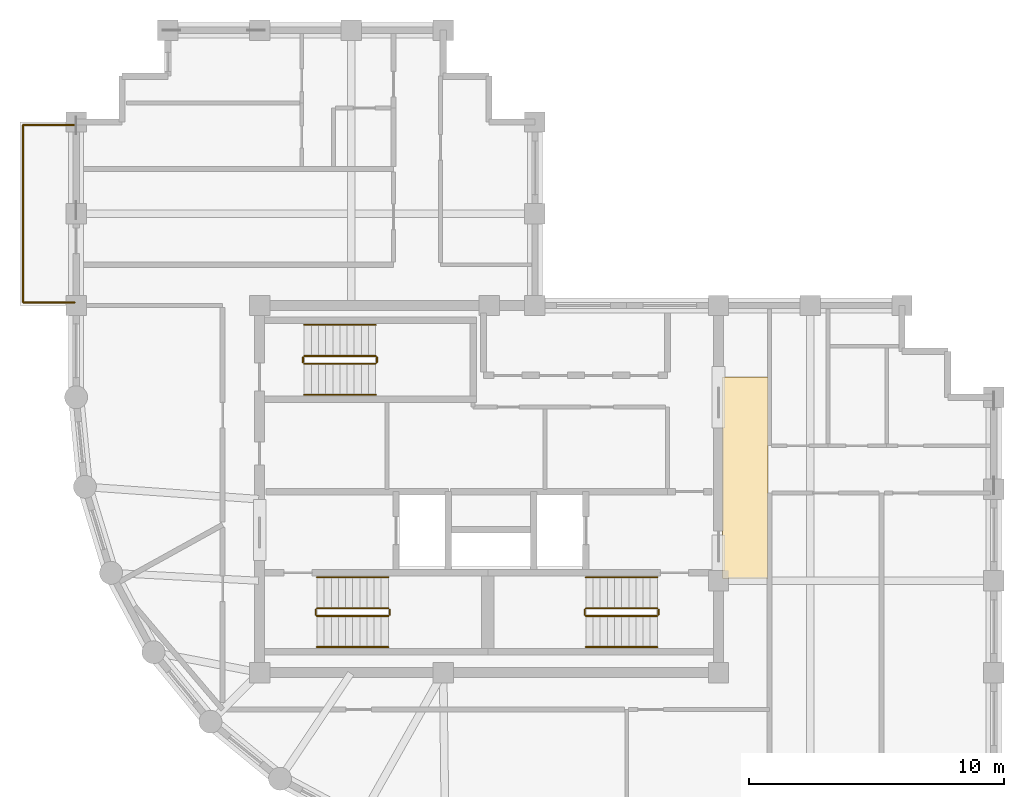
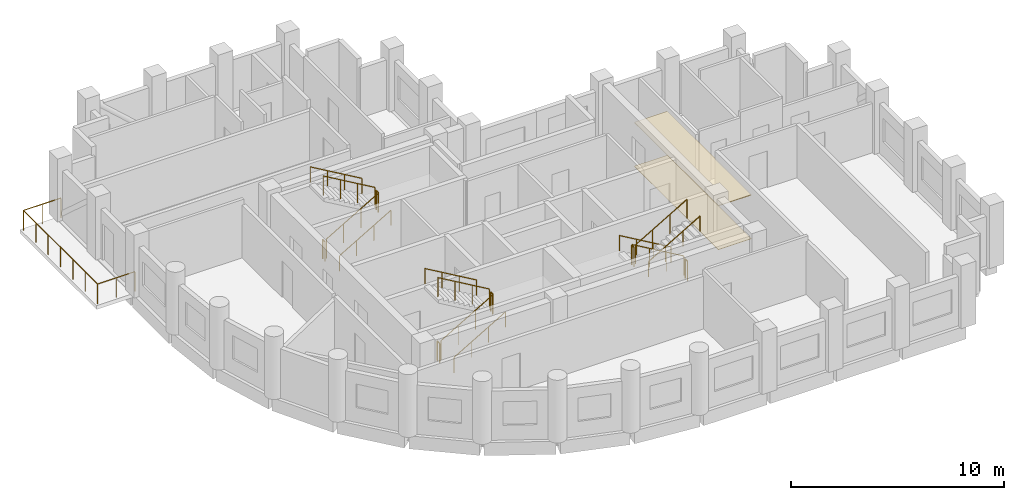
# One storey, part 6 of 6: 21 railings, 2 coverings.
"""IFC4 building model written with IfcOpenShell, lengths in metres."""

import ifcopenshell
import ifcopenshell.guid

model = None  # the IFC model being written
_history = None  # IfcOwnerHistory: only IFC2X3 demands one
_inside = {}  # id of a spatial element -> (the spatial element, [elements in it])
_under = {}  # id of a project, library or spatial element -> (it, [spatial elements below it])
_declared = {}  # id of a project -> (the project, [libraries it declares])
_typed = {}  # id of a type object -> (the type object, [elements of that type])
_made_of = {}  # id of a material, layer set ... -> (it, [elements and type objects made of it])


def new_model(schema):
    """Start an empty IFC model of exactly this schema.

    Asked for "IFC4X3", IfcOpenShell would pick the latest addendum, in which some entities
    have other attributes; the version numbers below select the first issue.
    IFC2X3 requires an IfcOwnerHistory on every rooted entity: one is made here for all.
    """
    global model, _history
    if schema == "IFC4X3":
        model = ifcopenshell.file(schema_version=(4, 3, 0, 0))
    else:
        model = ifcopenshell.file(schema=schema)
    _inside.clear()
    _under.clear()
    _declared.clear()
    _typed.clear()
    _made_of.clear()
    _history = None
    if model.schema == "IFC2X3":
        org = make("IfcOrganization", Name="unknown")
        user = make(
            "IfcPersonAndOrganization",
            ThePerson=make("IfcPerson", FamilyName="unknown"),
            TheOrganization=org,
        )
        app = make(
            "IfcApplication",
            ApplicationDeveloper=org,
            Version="unknown",
            ApplicationFullName="unknown",
            ApplicationIdentifier="unknown",
        )
        _history = make(
            "IfcOwnerHistory",
            OwningUser=user,
            OwningApplication=app,
            ChangeAction="ADDED",
            CreationDate=0,
        )
    return model


def make(cls, **values):
    """One entity of the class cls with the attributes given. An attribute that is None is left unset."""
    return model.create_entity(
        cls, **{name: value for name, value in values.items() if value is not None}
    )


def rooted(cls, **values):
    """An entity with a GlobalId (a new one), such as an element, a storey or a relation."""
    return make(cls, GlobalId=ifcopenshell.guid.new(), OwnerHistory=_history, **values)


def si_unit(unit_type, name, prefix=None):
    """IfcSIUnit, for example si_unit("LENGTHUNIT", "METRE", prefix="MILLI")."""
    return make("IfcSIUnit", UnitType=unit_type, Prefix=prefix, Name=name)


def assignment(units):
    """IfcUnitAssignment: the units of a project."""
    return None if units is None else make("IfcUnitAssignment", Units=units)


def point(xyz):
    """IfcCartesianPoint."""
    return None if xyz is None else make("IfcCartesianPoint", Coordinates=xyz)


def direction(xyz):
    """IfcDirection."""
    return None if xyz is None else make("IfcDirection", DirectionRatios=xyz)


def frame(location, z_axis=None, x_axis=None):
    """IfcAxis2Placement3D, a coordinate frame: its origin and axes. An axis left out is left unset."""
    return make(
        "IfcAxis2Placement3D",
        Location=point(location),
        Axis=direction(z_axis),
        RefDirection=direction(x_axis),
    )


def frame_2d(location, x_axis=None):
    """IfcAxis2Placement2D, a coordinate frame in the plane: its origin and x axis."""
    return make(
        "IfcAxis2Placement2D", Location=point(location), RefDirection=direction(x_axis)
    )


def origin():
    """The frame at (0, 0, 0) with its axes left unset."""
    return frame((0.0, 0.0, 0.0))


def origin_2d():
    """The frame at (0, 0) in the plane with its x axis left unset."""
    return frame_2d((0.0, 0.0))


def place(relative_to, where):
    """IfcLocalPlacement: puts the frame where relative to a parent placement (None: the world)."""
    return make(
        "IfcLocalPlacement", PlacementRelTo=relative_to, RelativePlacement=where
    )


def context(
    kind, dimensions, precision=None, world=None, true_north=None, identifier=None
):
    """IfcGeometricRepresentationContext, for example the 3D "Model" context."""
    return make(
        "IfcGeometricRepresentationContext",
        ContextIdentifier=identifier,
        ContextType=kind,
        CoordinateSpaceDimension=dimensions,
        Precision=precision,
        WorldCoordinateSystem=world,
        TrueNorth=true_north,
    )


def subcontext(parent, identifier, kind, view, scale=None):
    """IfcGeometricRepresentationSubContext, for example "Body" below "Model"."""
    return make(
        "IfcGeometricRepresentationSubContext",
        ContextIdentifier=identifier,
        ContextType=kind,
        ParentContext=parent,
        TargetScale=scale,
        TargetView=view,
    )


def project(units=None, contexts=None):
    """IfcProject with its units and contexts."""
    return rooted(
        "IfcProject",
        Name="project",
        RepresentationContexts=contexts,
        UnitsInContext=assignment(units),
    )


def spatial(cls, under=None, at=None, **own):
    """A site, building, storey or space (cls), placed at a placement, below another one or the project."""
    s = rooted(cls, ObjectPlacement=at, **own)
    if under is not None:
        _under.setdefault(under.id(), (under, []))[1].append(s)
    return s


def polyline(points):
    """IfcPolyline through the points."""
    return make("IfcPolyline", Points=[point(p) for p in points])


def profile(cls, at=None, kind="AREA", **sizes):
    """A parametric profile (cls). Its sizes go by their IFC names, for example OverallWidth=200.0."""
    return make(cls, ProfileType=kind, Position=at, **sizes)


def circle(**sizes):
    """IfcCircleProfileDef."""
    return profile("IfcCircleProfileDef", **sizes)


def outline(outer, holes=None, kind="AREA"):
    """IfcArbitraryClosedProfileDef: a profile drawn as a closed curve; with holes, ...WithVoids."""
    if holes is None:
        return make("IfcArbitraryClosedProfileDef", ProfileType=kind, OuterCurve=outer)
    return make(
        "IfcArbitraryProfileDefWithVoids",
        ProfileType=kind,
        OuterCurve=outer,
        InnerCurves=holes,
    )


def extrude(swept, where, along, depth):
    """IfcExtrudedAreaSolid: the profile swept, set in the frame where, extruded along a direction by depth."""
    return make(
        "IfcExtrudedAreaSolid",
        SweptArea=swept,
        Position=where,
        ExtrudedDirection=direction(along),
        Depth=depth,
    )


def shape(context_of_items, identifier, shape_type, items):
    """IfcShapeRepresentation: the items that make up one representation, for example the "Body"."""
    return make(
        "IfcShapeRepresentation",
        ContextOfItems=context_of_items,
        RepresentationIdentifier=identifier,
        RepresentationType=shape_type,
        Items=items,
    )


def material(Name=None, Category=None):
    """IfcMaterial."""
    return make("IfcMaterial", Name=Name, Category=Category)


def layer(
    of_material, thickness, ventilated=None, Name=None, Category=None, Priority=None
):
    """IfcMaterialLayer: one layer of a wall or slab, of a material (None: an air gap)."""
    return make(
        "IfcMaterialLayer",
        Material=of_material,
        LayerThickness=thickness,
        IsVentilated=ventilated,
        Name=Name,
        Category=Category,
        Priority=Priority,
    )


def layer_set(layers, Name=None):
    """IfcMaterialLayerSet."""
    return make("IfcMaterialLayerSet", MaterialLayers=layers, LayerSetName=Name)


def made_of(thing, what):
    """Note that an element or type object is made of a material, layer set ...; save() writes the relation."""
    if what is not None:
        _made_of.setdefault(what.id(), (what, []))[1].append(thing)
    return thing


def type_object(cls, material=None, **own):
    """A type object (cls), such as IfcWallType, which elements share."""
    return made_of(rooted(cls, **own), material)


def element(
    cls,
    number,
    at=None,
    inside=None,
    cuts=None,
    type_object=None,
    material=None,
    context=None,
    identifier="Body",
    shape_type=None,
    held_by="IfcProductDefinitionShape",
    body=None,
    shapes=None,
    **own,
):
    """One element of the class cls, such as IfcWall. Its Tag is "e" and its number.

    at: its placement. inside: the storey or other place that contains it. cuts: it is an
    opening in that element (IfcRelVoidsElement). A single representation is given by context,
    identifier, shape_type and body (its items); several are given by shapes. held_by: the class
    of the entity that holds the representations. save() writes the other relations.
    """
    e = rooted(cls, Tag="e%d" % number, ObjectPlacement=at, **own)
    if body is not None:
        shapes = [shape(context, identifier, shape_type, body)]
    if shapes is not None:
        e.Representation = make(held_by, Representations=shapes)
    if inside is not None:
        _inside.setdefault(inside.id(), (inside, []))[1].append(e)
    if cuts is not None:
        rooted(
            "IfcRelVoidsElement", RelatingBuildingElement=cuts, RelatedOpeningElement=e
        )
    if type_object is not None:
        _typed.setdefault(type_object.id(), (type_object, []))[1].append(e)
    return made_of(e, material)


def aggregate(whole, parts):
    """IfcRelAggregates: a whole, such as a stair, and the parts it consists of."""
    return rooted("IfcRelAggregates", RelatingObject=whole, RelatedObjects=parts)


def save(model, path):
    """Write the relations noted so far, then the file.

    IfcRelAggregates (storeys below a building ...), IfcRelContainedInSpatialStructure (elements
    in a storey), IfcRelDefinesByType, IfcRelAssociatesMaterial and IfcRelDeclares: one each for
    every whole, place, type object, material and project.
    """
    for whole, parts in _under.values():
        aggregate(whole, parts)
    for where, things in _inside.values():
        rooted(
            "IfcRelContainedInSpatialStructure",
            RelatedElements=things,
            RelatingStructure=where,
        )
    for kind, things in _typed.values():
        rooted("IfcRelDefinesByType", RelatedObjects=things, RelatingType=kind)
    for what, things in _made_of.values():
        rooted("IfcRelAssociatesMaterial", RelatedObjects=things, RelatingMaterial=what)
    for by, libraries in _declared.values():
        rooted("IfcRelDeclares", RelatingContext=by, RelatedDefinitions=libraries)
    model.write(path)


model = new_model("IFC4")

# Units and contexts
model_context = context("Model", 3, precision=1e-05, world=origin(), true_north=direction((0.0, 1.0)))
body_context = subcontext(model_context, "Body", "Model", "MODEL_VIEW")
ifc_project = project(units=[si_unit("LENGTHUNIT", "METRE"), si_unit("AREAUNIT", "SQUARE_METRE"), si_unit("VOLUMEUNIT", "CUBIC_METRE"), si_unit("PLANEANGLEUNIT", "RADIAN"), si_unit("MASSUNIT", "GRAM", prefix="KILO")], contexts=[model_context])

# Site, building, storey
site_placement = place(None, origin())
site = spatial("IfcSite", under=ifc_project, at=site_placement, CompositionType="ELEMENT")
building_placement = place(site_placement, origin())
building = spatial("IfcBuilding", under=site, at=building_placement, Name="Solnavia Interchange Tower", CompositionType="ELEMENT")
storey_placement = place(building_placement, frame((0.0, 0.0, 270.199951171875)))
storey = spatial("IfcBuildingStorey", under=building, at=storey_placement, Name="L68", CompositionType="ELEMENT", Elevation=270.199951171875)

# Coverings
ifc_material_1 = material(Name="Perforated Mineral-Fibre & Gypsum Ceiling", Category="gypsum")
ifc_layer_1 = layer(ifc_material_1, 0.0400390625)
ifc_layer_set_1 = layer_set([ifc_layer_1], Name="Perforated Mineral-Fibre & Gypsum Ceiling")
covering_type_1 = type_object("IfcCoveringType", Name="Covering-Ceiling-Acoustic40", PredefinedType="CEILING", material=ifc_layer_set_1)
covering_1_placement = place(storey_placement, frame((0.0, 0.0, 2.5)))
element("IfcCovering", 1, at=covering_1_placement, inside=storey, type_object=covering_type_1, Name="CLG-L68-01 Circulation suspended acoustic ceiling", PredefinedType="CEILING", context=body_context, shape_type="SweptSolid", body=[
    extrude(outline(polyline([(32.550048828125, 14.5), (34.35009765625, 14.5), (34.35009765625, 22.39990234375), (32.550048828125, 22.39990234375), (32.550048828125, 14.5)])), origin(), (0.0, 0.0, 1.0), 0.0400390625),
])
ifc_material_2 = material(Name="Engineered European Oak Flooring", Category="wood")
ifc_layer_2 = layer(ifc_material_2, 0.02001953125)
ifc_layer_set_2 = layer_set([ifc_layer_2], Name="Engineered European Oak Flooring")
covering_type_2 = type_object("IfcCoveringType", Name="Covering-Flooring-Timber20", PredefinedType="FLOORING", material=ifc_layer_set_2)
covering_2_placement = place(storey_placement, origin())
element("IfcCovering", 2, at=covering_2_placement, inside=storey, type_object=covering_type_2, Name="FLR-L68-01 Circulation floor finish", PredefinedType="FLOORING", context=body_context, shape_type="SweptSolid", body=[
    extrude(outline(polyline([(32.550048828125, 14.5), (34.35009765625, 14.5), (34.35009765625, 22.39990234375), (32.550048828125, 22.39990234375), (32.550048828125, 14.5)])), origin(), (0.0, 0.0, 1.0), 0.02001953125),
])

# Railings
ifc_material_3 = material(Name="Painted Steel Balustrade", Category="steel")
railing_type_1 = type_object("IfcRailingType", Name="Railing-StairGuard-1100", PredefinedType="GUARDRAIL", material=ifc_material_3)
railing_1_placement = place(storey_placement, frame((16.64990234375, 13.02001953125, 0.16357421875)))
element("IfcRailing", 3, at=railing_1_placement, inside=storey, type_object=railing_type_1, Name="L68 ST-1 stair guard 1", PredefinedType="GUARDRAIL", context=body_context, shape_type="SweptSolid", body=[
    extrude(circle(Radius=0.02392578125, at=origin_2d()), frame((0.0, 0.0, 1.09619140625), z_axis=(0.863360870873, 0.0, 0.504586966384), x_axis=(0.0, 1.0, 0.0)), (0.0, 0.0, 1.0), 3.2431640625),
    extrude(circle(Radius=0.02099609375, at=origin_2d()), origin(), (0.0, 0.0, 1.0), 1.072021484375),
    extrude(circle(Radius=0.02099609375, at=origin_2d()), frame((0.933349609375, 0.0, 0.54541015625)), (0.0, 0.0, 1.0), 1.072021484375),
    extrude(circle(Radius=0.02099609375, at=origin_2d()), frame((1.86669921875, 0.0, 1.091064453125)), (0.0, 0.0, 1.0), 1.072021484375),
    extrude(circle(Radius=0.02099609375, at=origin_2d()), frame((2.800048828125, 0.0, 1.636474609375)), (0.0, 0.0, 1.0), 1.072021484375),
])
railing_2_placement = place(storey_placement, frame((19.5, 13.070068359375, 1.800048828125)))
element("IfcRailing", 4, at=railing_2_placement, inside=storey, type_object=railing_type_1, Name="L68 ST-1 stair guard 2", PredefinedType="GUARDRAIL", context=body_context, shape_type="SweptSolid", body=[
    extrude(circle(Radius=0.02392578125, at=origin_2d()), frame((0.0, 0.0, 1.09619140625), z_axis=(0.0, 1.0, 0.0), x_axis=(-1.0, 0.0, 0.0)), (0.0, 0.0, 1.0), 0.199951171875),
    extrude(circle(Radius=0.02099609375, at=origin_2d()), origin(), (0.0, 0.0, 1.0), 1.072021484375),
    extrude(circle(Radius=0.02099609375, at=origin_2d()), frame((0.0, 0.199951171875, 0.0)), (0.0, 0.0, 1.0), 1.072021484375),
])
railing_3_placement = place(storey_placement, frame((19.449951171875, 13.320068359375, 1.963623046875)))
element("IfcRailing", 5, at=railing_3_placement, inside=storey, type_object=railing_type_1, Name="L68 ST-1 stair guard 3", PredefinedType="GUARDRAIL", context=body_context, shape_type="SweptSolid", body=[
    extrude(circle(Radius=0.02392578125, at=origin_2d()), frame((0.0, 0.0, 1.09619140625), z_axis=(-0.863360870873, 0.0, 0.504586966384), x_axis=(0.0, -1.0, 0.0)), (0.0, 0.0, 1.0), 3.2431640625),
    extrude(circle(Radius=0.02099609375, at=origin_2d()), origin(), (0.0, 0.0, 1.0), 1.072021484375),
    extrude(circle(Radius=0.02099609375, at=origin_2d()), frame((-0.933349609375, 0.0, 0.54541015625)), (0.0, 0.0, 1.0), 1.072021484375),
    extrude(circle(Radius=0.02099609375, at=origin_2d()), frame((-1.86669921875, 0.0, 1.091064453125)), (0.0, 0.0, 1.0), 1.072021484375),
    extrude(circle(Radius=0.02099609375, at=origin_2d()), frame((-2.800048828125, 0.0, 1.636474609375)), (0.0, 0.0, 1.0), 1.072021484375),
])
railing_4_placement = place(storey_placement, frame((16.60009765625, 13.070068359375, 0.0)))
element("IfcRailing", 6, at=railing_4_placement, inside=storey, type_object=railing_type_1, Name="L68 ST-1 stair guard 4", PredefinedType="GUARDRAIL", context=body_context, shape_type="SweptSolid", body=[
    extrude(circle(Radius=0.02392578125, at=origin_2d()), frame((0.0, 0.0, 1.09619140625), z_axis=(0.0, 1.0, 0.0), x_axis=(-1.0, 0.0, 0.0)), (0.0, 0.0, 1.0), 0.199951171875),
    extrude(circle(Radius=0.02099609375, at=origin_2d()), origin(), (0.0, 0.0, 1.0), 1.072021484375),
    extrude(circle(Radius=0.02099609375, at=origin_2d()), frame((0.0, 0.199951171875, 0.0)), (0.0, 0.0, 1.0), 1.072021484375),
])
railing_5_placement = place(storey_placement, frame((30.0, 13.320068359375, 0.16357421875)))
element("IfcRailing", 7, at=railing_5_placement, inside=storey, type_object=railing_type_1, Name="L68 ST-2 stair guard 1", PredefinedType="GUARDRAIL", context=body_context, shape_type="SweptSolid", body=[
    extrude(circle(Radius=0.02392578125, at=origin_2d()), frame((0.0, 0.0, 1.09619140625), z_axis=(-0.863360870873, 0.0, 0.504586966384), x_axis=(0.0, -1.0, 0.0)), (0.0, 0.0, 1.0), 3.2431640625),
    extrude(circle(Radius=0.02099609375, at=origin_2d()), origin(), (0.0, 0.0, 1.0), 1.072021484375),
    extrude(circle(Radius=0.02099609375, at=origin_2d()), frame((-0.933349609375, 0.0, 0.54541015625)), (0.0, 0.0, 1.0), 1.072021484375),
    extrude(circle(Radius=0.02099609375, at=origin_2d()), frame((-1.86669921875, 0.0, 1.091064453125)), (0.0, 0.0, 1.0), 1.072021484375),
    extrude(circle(Radius=0.02099609375, at=origin_2d()), frame((-2.800048828125, 0.0, 1.636474609375)), (0.0, 0.0, 1.0), 1.072021484375),
])
railing_6_placement = place(storey_placement, frame((27.14990234375, 13.27001953125, 1.800048828125)))
element("IfcRailing", 8, at=railing_6_placement, inside=storey, type_object=railing_type_1, Name="L68 ST-2 stair guard 2", PredefinedType="GUARDRAIL", context=body_context, shape_type="SweptSolid", body=[
    extrude(circle(Radius=0.02392578125, at=origin_2d()), frame((0.0, 0.0, 1.09619140625), z_axis=(0.0, -1.0, 0.0), x_axis=(1.0, 0.0, 0.0)), (0.0, 0.0, 1.0), 0.199951171875),
    extrude(circle(Radius=0.02099609375, at=origin_2d()), origin(), (0.0, 0.0, 1.0), 1.072021484375),
    extrude(circle(Radius=0.02099609375, at=origin_2d()), frame((0.0, -0.199951171875, 0.0)), (0.0, 0.0, 1.0), 1.072021484375),
])
railing_7_placement = place(storey_placement, frame((27.199951171875, 13.02001953125, 1.963623046875)))
element("IfcRailing", 9, at=railing_7_placement, inside=storey, type_object=railing_type_1, Name="L68 ST-2 stair guard 3", PredefinedType="GUARDRAIL", context=body_context, shape_type="SweptSolid", body=[
    extrude(circle(Radius=0.02392578125, at=origin_2d()), frame((0.0, 0.0, 1.09619140625), z_axis=(0.863360870873, 0.0, 0.504586966384), x_axis=(0.0, 1.0, 0.0)), (0.0, 0.0, 1.0), 3.2431640625),
    extrude(circle(Radius=0.02099609375, at=origin_2d()), origin(), (0.0, 0.0, 1.0), 1.072021484375),
    extrude(circle(Radius=0.02099609375, at=origin_2d()), frame((0.933349609375, 0.0, 0.54541015625)), (0.0, 0.0, 1.0), 1.072021484375),
    extrude(circle(Radius=0.02099609375, at=origin_2d()), frame((1.86669921875, 0.0, 1.091064453125)), (0.0, 0.0, 1.0), 1.072021484375),
    extrude(circle(Radius=0.02099609375, at=origin_2d()), frame((2.800048828125, 0.0, 1.636474609375)), (0.0, 0.0, 1.0), 1.072021484375),
])
railing_8_placement = place(storey_placement, frame((30.050048828125, 13.27001953125, 0.0)))
element("IfcRailing", 10, at=railing_8_placement, inside=storey, type_object=railing_type_1, Name="L68 ST-2 stair guard 4", PredefinedType="GUARDRAIL", context=body_context, shape_type="SweptSolid", body=[
    extrude(circle(Radius=0.02392578125, at=origin_2d()), frame((0.0, 0.0, 1.09619140625), z_axis=(0.0, -1.0, 0.0), x_axis=(1.0, 0.0, 0.0)), (0.0, 0.0, 1.0), 0.199951171875),
    extrude(circle(Radius=0.02099609375, at=origin_2d()), origin(), (0.0, 0.0, 1.0), 1.072021484375),
    extrude(circle(Radius=0.02099609375, at=origin_2d()), frame((0.0, -0.199951171875, 0.0)), (0.0, 0.0, 1.0), 1.072021484375),
])
railing_9_placement = place(storey_placement, frame((16.14990234375, 22.919921875, 0.16357421875)))
element("IfcRailing", 11, at=railing_9_placement, inside=storey, type_object=railing_type_1, Name="L68 ST-3 stair guard 1", PredefinedType="GUARDRAIL", context=body_context, shape_type="SweptSolid", body=[
    extrude(circle(Radius=0.02392578125, at=origin_2d()), frame((0.0, 0.0, 1.09619140625), z_axis=(0.863360870873, 0.0, 0.504586966384), x_axis=(0.0, 1.0, 0.0)), (0.0, 0.0, 1.0), 3.2431640625),
    extrude(circle(Radius=0.02099609375, at=origin_2d()), origin(), (0.0, 0.0, 1.0), 1.072021484375),
    extrude(circle(Radius=0.02099609375, at=origin_2d()), frame((0.933349609375, 0.0, 0.54541015625)), (0.0, 0.0, 1.0), 1.072021484375),
    extrude(circle(Radius=0.02099609375, at=origin_2d()), frame((1.86669921875, 0.0, 1.091064453125)), (0.0, 0.0, 1.0), 1.072021484375),
    extrude(circle(Radius=0.02099609375, at=origin_2d()), frame((2.800048828125, 0.0, 1.636474609375)), (0.0, 0.0, 1.0), 1.072021484375),
])
railing_10_placement = place(storey_placement, frame((19.0, 22.969970703125, 1.800048828125)))
element("IfcRailing", 12, at=railing_10_placement, inside=storey, type_object=railing_type_1, Name="L68 ST-3 stair guard 2", PredefinedType="GUARDRAIL", context=body_context, shape_type="SweptSolid", body=[
    extrude(circle(Radius=0.02392578125, at=origin_2d()), frame((0.0, 0.0, 1.09619140625), z_axis=(0.0, 1.0, 0.0), x_axis=(-1.0, 0.0, 0.0)), (0.0, 0.0, 1.0), 0.199951171875),
    extrude(circle(Radius=0.02099609375, at=origin_2d()), origin(), (0.0, 0.0, 1.0), 1.072021484375),
    extrude(circle(Radius=0.02099609375, at=origin_2d()), frame((0.0, 0.199951171875, 0.0)), (0.0, 0.0, 1.0), 1.072021484375),
])
railing_11_placement = place(storey_placement, frame((18.949951171875, 23.219970703125, 1.963623046875)))
element("IfcRailing", 13, at=railing_11_placement, inside=storey, type_object=railing_type_1, Name="L68 ST-3 stair guard 3", PredefinedType="GUARDRAIL", context=body_context, shape_type="SweptSolid", body=[
    extrude(circle(Radius=0.02392578125, at=origin_2d()), frame((0.0, 0.0, 1.09619140625), z_axis=(-0.863360870873, 0.0, 0.504586966384), x_axis=(0.0, -1.0, 0.0)), (0.0, 0.0, 1.0), 3.2431640625),
    extrude(circle(Radius=0.02099609375, at=origin_2d()), origin(), (0.0, 0.0, 1.0), 1.072021484375),
    extrude(circle(Radius=0.02099609375, at=origin_2d()), frame((-0.933349609375, 0.0, 0.54541015625)), (0.0, 0.0, 1.0), 1.072021484375),
    extrude(circle(Radius=0.02099609375, at=origin_2d()), frame((-1.86669921875, 0.0, 1.091064453125)), (0.0, 0.0, 1.0), 1.072021484375),
    extrude(circle(Radius=0.02099609375, at=origin_2d()), frame((-2.800048828125, 0.0, 1.636474609375)), (0.0, 0.0, 1.0), 1.072021484375),
])
railing_12_placement = place(storey_placement, frame((16.10009765625, 22.969970703125, 0.0)))
element("IfcRailing", 14, at=railing_12_placement, inside=storey, type_object=railing_type_1, Name="L68 ST-3 stair guard 4", PredefinedType="GUARDRAIL", context=body_context, shape_type="SweptSolid", body=[
    extrude(circle(Radius=0.02392578125, at=origin_2d()), frame((0.0, 0.0, 1.09619140625), z_axis=(0.0, 1.0, 0.0), x_axis=(-1.0, 0.0, 0.0)), (0.0, 0.0, 1.0), 0.199951171875),
    extrude(circle(Radius=0.02099609375, at=origin_2d()), origin(), (0.0, 0.0, 1.0), 1.072021484375),
    extrude(circle(Radius=0.02099609375, at=origin_2d()), frame((0.0, 0.199951171875, 0.0)), (0.0, 0.0, 1.0), 1.072021484375),
])
ifc_material_4 = material(Name="Brushed Stainless Steel", Category="steel")
railing_type_2 = type_object("IfcRailingType", Name="Railing-StairHandrail-900", PredefinedType="HANDRAIL", material=ifc_material_4)
railing_13_placement = place(storey_placement, frame((16.64990234375, 11.800048828125, 0.16357421875)))
element("IfcRailing", 15, at=railing_13_placement, inside=storey, type_object=railing_type_2, Name="L68 ST-1 stair handrail 1", PredefinedType="HANDRAIL", context=body_context, shape_type="SweptSolid", body=[
    extrude(circle(Radius=0.02392578125, at=origin_2d()), frame((0.0, 0.0, 0.8759765625), z_axis=(0.863360870873, 0.0, 0.504586966384), x_axis=(0.0, 1.0, 0.0)), (0.0, 0.0, 1.0), 3.2431640625),
    extrude(circle(Radius=0.02099609375, at=origin_2d()), origin(), (0.0, 0.0, 1.0), 0.851806640625),
    extrude(circle(Radius=0.02099609375, at=origin_2d()), frame((0.933349609375, 0.0, 0.54541015625)), (0.0, 0.0, 1.0), 0.851806640625),
    extrude(circle(Radius=0.02099609375, at=origin_2d()), frame((1.86669921875, 0.0, 1.091064453125)), (0.0, 0.0, 1.0), 0.851806640625),
    extrude(circle(Radius=0.02099609375, at=origin_2d()), frame((2.800048828125, 0.0, 1.636474609375)), (0.0, 0.0, 1.0), 0.851806640625),
])
for number, where, name in (
    (16, (19.449951171875, 14.5400390625, 1.963623046875), "L68 ST-1 stair handrail 2"),
    (17, (30.0, 14.5400390625, 0.16357421875), "L68 ST-2 stair handrail 1"),
):
    element("IfcRailing", number, at=place(storey_placement, frame(where)), inside=storey, type_object=railing_type_2, Name=name, PredefinedType="HANDRAIL", context=body_context, shape_type="SweptSolid", body=[
        extrude(circle(Radius=0.02392578125, at=origin_2d()), frame((0.0, 0.0, 0.8759765625), z_axis=(-0.863360870873, 0.0, 0.504586966384), x_axis=(0.0, -1.0, 0.0)), (0.0, 0.0, 1.0), 3.2431640625),
        extrude(circle(Radius=0.02099609375, at=origin_2d()), origin(), (0.0, 0.0, 1.0), 0.851806640625),
        extrude(circle(Radius=0.02099609375, at=origin_2d()), frame((-0.933349609375, 0.0, 0.54541015625)), (0.0, 0.0, 1.0), 0.851806640625),
        extrude(circle(Radius=0.02099609375, at=origin_2d()), frame((-1.86669921875, 0.0, 1.091064453125)), (0.0, 0.0, 1.0), 0.851806640625),
        extrude(circle(Radius=0.02099609375, at=origin_2d()), frame((-2.800048828125, 0.0, 1.636474609375)), (0.0, 0.0, 1.0), 0.851806640625),
    ])
for number, where, name in (
    (18, (27.199951171875, 11.800048828125, 1.963623046875), "L68 ST-2 stair handrail 2"),
    (19, (16.14990234375, 21.699951171875, 0.16357421875), "L68 ST-3 stair handrail 1"),
):
    element("IfcRailing", number, at=place(storey_placement, frame(where)), inside=storey, type_object=railing_type_2, Name=name, PredefinedType="HANDRAIL", context=body_context, shape_type="SweptSolid", body=[
        extrude(circle(Radius=0.02392578125, at=origin_2d()), frame((0.0, 0.0, 0.8759765625), z_axis=(0.863360870873, 0.0, 0.504586966384), x_axis=(0.0, 1.0, 0.0)), (0.0, 0.0, 1.0), 3.2431640625),
        extrude(circle(Radius=0.02099609375, at=origin_2d()), origin(), (0.0, 0.0, 1.0), 0.851806640625),
        extrude(circle(Radius=0.02099609375, at=origin_2d()), frame((0.933349609375, 0.0, 0.54541015625)), (0.0, 0.0, 1.0), 0.851806640625),
        extrude(circle(Radius=0.02099609375, at=origin_2d()), frame((1.86669921875, 0.0, 1.091064453125)), (0.0, 0.0, 1.0), 0.851806640625),
        extrude(circle(Radius=0.02099609375, at=origin_2d()), frame((2.800048828125, 0.0, 1.636474609375)), (0.0, 0.0, 1.0), 0.851806640625),
    ])
railing_14_placement = place(storey_placement, frame((18.949951171875, 24.43994140625, 1.963623046875)))
element("IfcRailing", 20, at=railing_14_placement, inside=storey, type_object=railing_type_2, Name="L68 ST-3 stair handrail 2", PredefinedType="HANDRAIL", context=body_context, shape_type="SweptSolid", body=[
    extrude(circle(Radius=0.02392578125, at=origin_2d()), frame((0.0, 0.0, 0.8759765625), z_axis=(-0.863360870873, 0.0, 0.504586966384), x_axis=(0.0, -1.0, 0.0)), (0.0, 0.0, 1.0), 3.2431640625),
    extrude(circle(Radius=0.02099609375, at=origin_2d()), origin(), (0.0, 0.0, 1.0), 0.851806640625),
    extrude(circle(Radius=0.02099609375, at=origin_2d()), frame((-0.933349609375, 0.0, 0.54541015625)), (0.0, 0.0, 1.0), 0.851806640625),
    extrude(circle(Radius=0.02099609375, at=origin_2d()), frame((-1.86669921875, 0.0, 1.091064453125)), (0.0, 0.0, 1.0), 0.851806640625),
    extrude(circle(Radius=0.02099609375, at=origin_2d()), frame((-2.800048828125, 0.0, 1.636474609375)), (0.0, 0.0, 1.0), 0.851806640625),
])
ifc_material_5 = material(Name="Laminated Safety Glass & Stainless Steel", Category="steel")
railing_type_3 = type_object("IfcRailingType", Name="Railing-TerraceGuard-1150", PredefinedType="GUARDRAIL", material=ifc_material_5)
railing_15_placement = place(storey_placement, frame((7.14990234375, 25.320068359375, -0.0400390625)))
element("IfcRailing", 21, at=railing_15_placement, inside=storey, type_object=railing_type_3, Name="GRD-L68-TER-01 Perimeter terrace guardrail", PredefinedType="GUARDRAIL", context=body_context, shape_type="SweptSolid", body=[
    extrude(circle(Radius=0.02392578125, at=origin_2d()), frame((0.0, 0.0, 1.1259765625), z_axis=(-1.0, 0.0, 0.0), x_axis=(0.0, -1.0, 0.0)), (0.0, 0.0, 1.0), 2.02978515625),
    extrude(circle(Radius=0.02099609375, at=origin_2d()), origin(), (0.0, 0.0, 1.0), 1.101806640625),
    extrude(circle(Radius=0.02099609375, at=origin_2d()), frame((-1.014892578125, 0.0, 0.0)), (0.0, 0.0, 1.0), 1.101806640625),
    extrude(circle(Radius=0.02099609375, at=origin_2d()), frame((-2.02978515625, 0.0, 0.0)), (0.0, 0.0, 1.0), 1.101806640625),
])
railing_16_placement = place(storey_placement, frame((5.1201171875, 25.320068359375, -0.0400390625)))
element("IfcRailing", 22, at=railing_16_placement, inside=storey, type_object=railing_type_3, Name="GRD-L68-TER-02 Perimeter terrace guardrail", PredefinedType="GUARDRAIL", context=body_context, shape_type="SweptSolid", body=[
    extrude(circle(Radius=0.02392578125, at=origin_2d()), frame((0.0, 0.0, 1.1259765625), z_axis=(0.0, 1.0, 0.0), x_axis=(-1.0, 0.0, 0.0)), (0.0, 0.0, 1.0), 6.9599609375),
    extrude(circle(Radius=0.02099609375, at=origin_2d()), origin(), (0.0, 0.0, 1.0), 1.101806640625),
    extrude(circle(Radius=0.02099609375, at=origin_2d()), frame((0.0, 1.159912109375, 0.0)), (0.0, 0.0, 1.0), 1.101806640625),
    extrude(circle(Radius=0.02099609375, at=origin_2d()), frame((0.0, 2.320068359375, 0.0)), (0.0, 0.0, 1.0), 1.101806640625),
    extrude(circle(Radius=0.02099609375, at=origin_2d()), frame((0.0, 3.47998046875, 0.0)), (0.0, 0.0, 1.0), 1.101806640625),
    extrude(circle(Radius=0.02099609375, at=origin_2d()), frame((0.0, 4.639892578125, 0.0)), (0.0, 0.0, 1.0), 1.101806640625),
    extrude(circle(Radius=0.02099609375, at=origin_2d()), frame((0.0, 5.800048828125, 0.0)), (0.0, 0.0, 1.0), 1.101806640625),
    extrude(circle(Radius=0.02099609375, at=origin_2d()), frame((0.0, 6.9599609375, 0.0)), (0.0, 0.0, 1.0), 1.101806640625),
])
railing_17_placement = place(storey_placement, frame((5.1201171875, 32.280029296875, -0.0400390625)))
element("IfcRailing", 23, at=railing_17_placement, inside=storey, type_object=railing_type_3, Name="GRD-L68-TER-03 Perimeter terrace guardrail", PredefinedType="GUARDRAIL", context=body_context, shape_type="SweptSolid", body=[
    extrude(circle(Radius=0.02392578125, at=origin_2d()), frame((0.0, 0.0, 1.1259765625), z_axis=(1.0, 0.0, 0.0), x_axis=(0.0, 1.0, 0.0)), (0.0, 0.0, 1.0), 2.02978515625),
    extrude(circle(Radius=0.02099609375, at=origin_2d()), origin(), (0.0, 0.0, 1.0), 1.101806640625),
    extrude(circle(Radius=0.02099609375, at=origin_2d()), frame((1.014892578125, 0.0, 0.0)), (0.0, 0.0, 1.0), 1.101806640625),
    extrude(circle(Radius=0.02099609375, at=origin_2d()), frame((2.02978515625, 0.0, 0.0)), (0.0, 0.0, 1.0), 1.101806640625),
])

save(model, "model.ifc")
